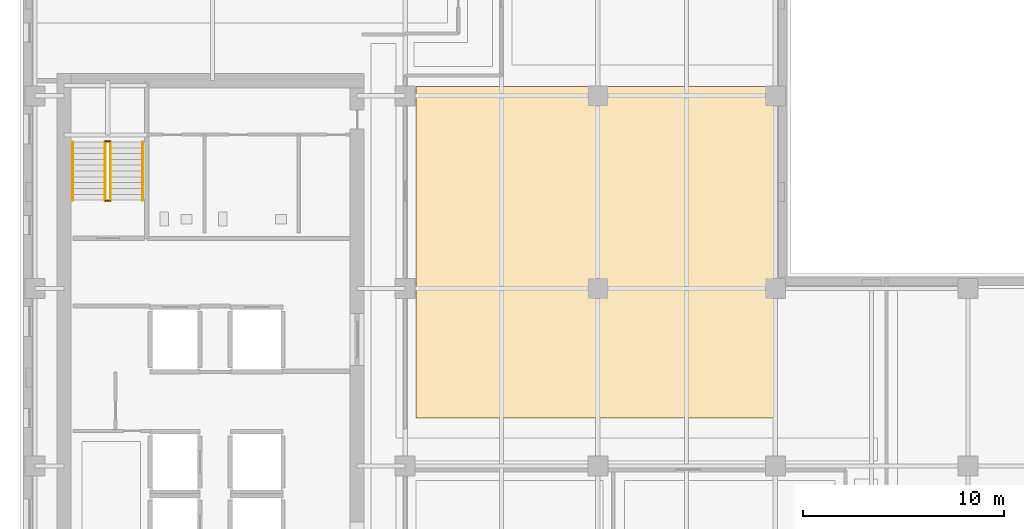
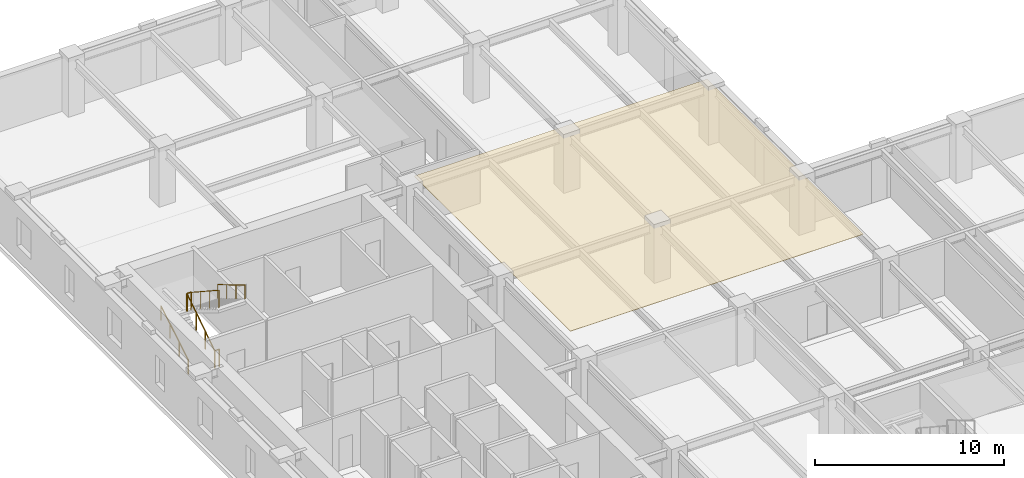
# One storey, part 10 of 12: 6 railings, 1 covering.
"""IFC4 building model written with IfcOpenShell, lengths in metres."""

from ifc_helpers import new_model, si_unit, direction, frame, origin, origin_2d, place, context, subcontext, project, spatial, polyline, circle, outline, extrude, material, layer, layer_set, type_object, element, save


model = new_model("IFC4")

# Units and contexts
model_context = context("Model", 3, precision=1e-05, world=origin(), true_north=direction((0.0, 1.0)))
body_context = subcontext(model_context, "Body", "Model", "MODEL_VIEW")
ifc_project = project(units=[si_unit("LENGTHUNIT", "METRE"), si_unit("AREAUNIT", "SQUARE_METRE"), si_unit("VOLUMEUNIT", "CUBIC_METRE"), si_unit("PLANEANGLEUNIT", "RADIAN"), si_unit("MASSUNIT", "GRAM", prefix="KILO")], contexts=[model_context])

# Site, building, storey
site_placement = place(None, origin())
site = spatial("IfcSite", under=ifc_project, at=site_placement, CompositionType="ELEMENT")
building_placement = place(site_placement, origin())
building = spatial("IfcBuilding", under=site, at=building_placement, Name="Norrvale University Quadrangle", CompositionType="ELEMENT")
storey_placement = place(building_placement, frame((0.0, 0.0, 135.60009765625)))
storey = spatial("IfcBuildingStorey", under=building, at=storey_placement, Name="L34", CompositionType="ELEMENT", Elevation=135.60009765625)

# Covering
ifc_material_1 = material(Name="Perforated Acoustic Mineral Ceiling")
ifc_layer = layer(ifc_material_1, 0.02490234375, Name="Perforated Acoustic Mineral Ceiling")
ifc_layer_set = layer_set([ifc_layer], Name="Perforated Acoustic Mineral Ceiling")
covering_type = type_object("IfcCoveringType", Name="Covering Acoustic Ceiling 25", PredefinedType="CEILING", material=ifc_layer_set)
covering_placement = place(storey_placement, frame((0.0, 0.0, 3.514892578125)))
element("IfcCovering", 1, at=covering_placement, inside=storey, type_object=covering_type, Name="Acoustic Ceiling RM-L34-MNE01", PredefinedType="CEILING", context=body_context, shape_type="SweptSolid", body=[
    extrude(outline(polyline([(19.72998046875, 47.719970703125), (37.64990234375, 47.719970703125), (37.64990234375, 31.179931640625), (19.72998046875, 31.179931640625), (19.72998046875, 47.719970703125)])), origin(), (0.0, 0.0, 1.0), 0.02490234375),
])

# Railings
ifc_material_2 = material(Name="Steel 350W Painted Balustrade", Category="steel")
railing_type_1 = type_object("IfcRailingType", Name="Railing Stair Guard 1100", PredefinedType="GUARDRAIL", material=ifc_material_2)
for number, where, name in (
    (2, (4.239990234375, 42.02001953125, 0.0), "Stair Floor Well Guard ST-02 L34"),
    (3, (4.239990234375, 44.97998046875, 1.89990234375), "Stair Mid-Landing Slot Guard ST-02 L34"),
):
    element("IfcRailing", number, at=place(storey_placement, frame(where)), inside=storey, type_object=railing_type_1, Name=name, PredefinedType="GUARDRAIL", context=body_context, shape_type="SweptSolid", body=[
        extrude(circle(Radius=0.02392578125, at=origin_2d()), frame((0.0, 0.0, 1.1259765625), z_axis=(1.0, 0.0, 0.0), x_axis=(0.0, 1.0, 0.0)), (0.0, 0.0, 1.0), 0.27001953125),
        extrude(circle(Radius=0.02099609375, at=origin_2d()), origin(), (0.0, 0.0, 1.0), 1.101806640625),
        extrude(circle(Radius=0.02099609375, at=origin_2d()), frame((0.27001953125, 0.0, 0.0)), (0.0, 0.0, 1.0), 1.101806640625),
    ])
railing_1_placement = place(storey_placement, frame((4.239990234375, 42.050048828125, 0.0)))
element("IfcRailing", 4, at=railing_1_placement, inside=storey, type_object=railing_type_1, Name="Stair Lower Flight Inner Guard ST-02 L34", PredefinedType="GUARDRAIL", context=body_context, shape_type="SweptSolid", body=[
    extrude(circle(Radius=0.02392578125, at=origin_2d()), frame((0.0, 0.0, 1.1259765625), z_axis=(0.0, 0.836465582154, 0.548019461216), x_axis=(-1.0, 0.0, 0.0)), (0.0, 0.0, 1.0), 3.466796875),
    extrude(circle(Radius=0.02099609375, at=origin_2d()), origin(), (0.0, 0.0, 1.0), 1.101806640625),
    extrude(circle(Radius=0.02099609375, at=origin_2d()), frame((0.0, 0.966552734375, 0.63330078125)), (0.0, 0.0, 1.0), 1.101806640625),
    extrude(circle(Radius=0.02099609375, at=origin_2d()), frame((0.0, 1.933349609375, 1.2666015625)), (0.0, 0.0, 1.0), 1.101806640625),
    extrude(circle(Radius=0.02099609375, at=origin_2d()), frame((0.0, 2.89990234375, 1.89990234375)), (0.0, 0.0, 1.0), 1.101806640625),
])
railing_2_placement = place(storey_placement, frame((4.510009765625, 44.949951171875, 1.89990234375)))
element("IfcRailing", 5, at=railing_2_placement, inside=storey, type_object=railing_type_1, Name="Stair Upper Flight Inner Guard ST-02 L34", PredefinedType="GUARDRAIL", context=body_context, shape_type="SweptSolid", body=[
    extrude(circle(Radius=0.02392578125, at=origin_2d()), frame((0.0, 0.0, 1.1259765625), z_axis=(0.0, -0.836465582154, 0.548019461216), x_axis=(1.0, 0.0, 0.0)), (0.0, 0.0, 1.0), 3.466796875),
    extrude(circle(Radius=0.02099609375, at=origin_2d()), origin(), (0.0, 0.0, 1.0), 1.101806640625),
    extrude(circle(Radius=0.02099609375, at=origin_2d()), frame((0.0, -0.966552734375, 0.63330078125)), (0.0, 0.0, 1.0), 1.101806640625),
    extrude(circle(Radius=0.02099609375, at=origin_2d()), frame((0.0, -1.933349609375, 1.2666015625)), (0.0, 0.0, 1.0), 1.101806640625),
    extrude(circle(Radius=0.02099609375, at=origin_2d()), frame((0.0, -2.89990234375, 1.89990234375)), (0.0, 0.0, 1.0), 1.101806640625),
])
ifc_material_3 = material(Name="Stainless Steel 316L Handrail", Category="steel")
railing_type_2 = type_object("IfcRailingType", Name="Railing Stair Handrail 920", PredefinedType="HANDRAIL", material=ifc_material_3)
railing_3_placement = place(storey_placement, frame((2.639892578125, 42.050048828125, 0.172607421875)))
element("IfcRailing", 6, at=railing_3_placement, inside=storey, type_object=railing_type_2, Name="Stair Lower Flight Handrail ST-02 L34", PredefinedType="HANDRAIL", context=body_context, shape_type="SweptSolid", body=[
    extrude(circle(Radius=0.02392578125, at=origin_2d()), frame((0.0, 0.0, 0.89599609375), z_axis=(0.0, 0.859141464434, 0.511738159696), x_axis=(-1.0, 0.0, 0.0)), (0.0, 0.0, 1.0), 3.375244140625),
    extrude(circle(Radius=0.02099609375, at=origin_2d()), origin(), (0.0, 0.0, 1.0), 0.871826171875),
    extrude(circle(Radius=0.02099609375, at=origin_2d()), frame((0.0, 0.966552734375, 0.57568359375)), (0.0, 0.0, 1.0), 0.871826171875),
    extrude(circle(Radius=0.02099609375, at=origin_2d()), frame((0.0, 1.933349609375, 1.151611328125)), (0.0, 0.0, 1.0), 0.871826171875),
    extrude(circle(Radius=0.02099609375, at=origin_2d()), frame((0.0, 2.89990234375, 1.727294921875)), (0.0, 0.0, 1.0), 0.871826171875),
])
railing_4_placement = place(storey_placement, frame((6.110107421875, 44.949951171875, 2.072509765625)))
element("IfcRailing", 7, at=railing_4_placement, inside=storey, type_object=railing_type_2, Name="Stair Upper Flight Handrail ST-02 L34", PredefinedType="HANDRAIL", context=body_context, shape_type="SweptSolid", body=[
    extrude(circle(Radius=0.02392578125, at=origin_2d()), frame((0.0, 0.0, 0.89599609375), z_axis=(0.0, -0.859141464434, 0.511738159696), x_axis=(1.0, 0.0, 0.0)), (0.0, 0.0, 1.0), 3.375244140625),
    extrude(circle(Radius=0.02099609375, at=origin_2d()), origin(), (0.0, 0.0, 1.0), 0.871826171875),
    extrude(circle(Radius=0.02099609375, at=origin_2d()), frame((0.0, -0.966552734375, 0.57568359375)), (0.0, 0.0, 1.0), 0.871826171875),
    extrude(circle(Radius=0.02099609375, at=origin_2d()), frame((0.0, -1.933349609375, 1.151611328125)), (0.0, 0.0, 1.0), 0.871826171875),
    extrude(circle(Radius=0.02099609375, at=origin_2d()), frame((0.0, -2.89990234375, 1.727294921875)), (0.0, 0.0, 1.0), 0.871826171875),
])

save(model, "model.ifc")
